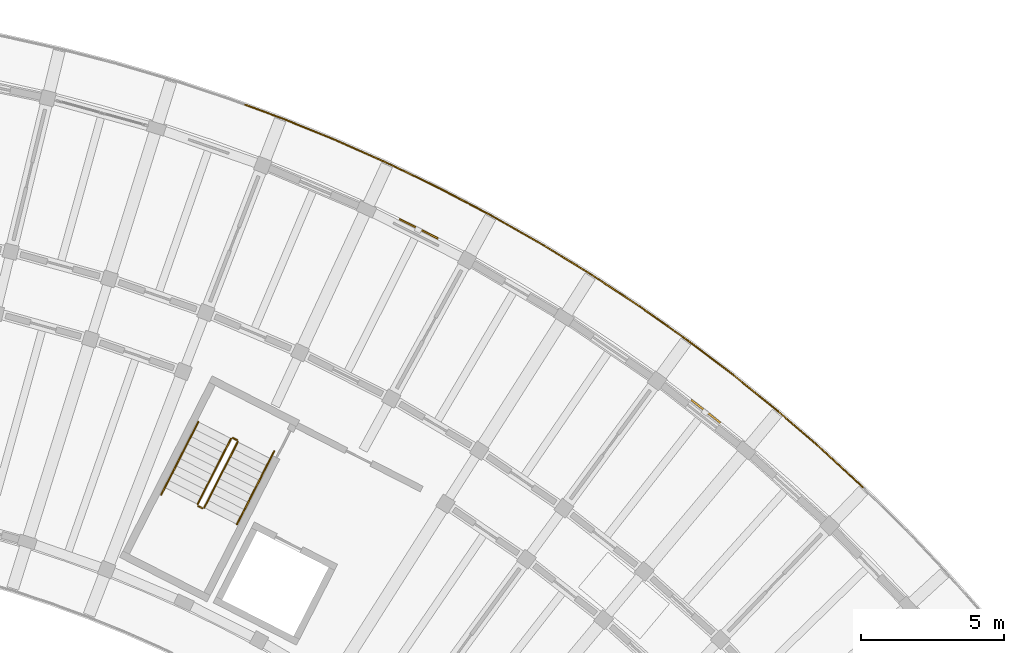
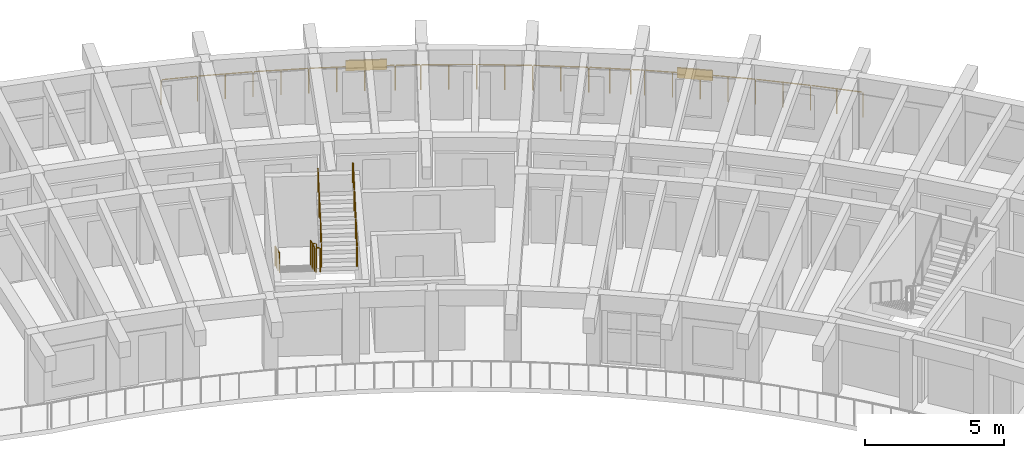
# One storey, part 82 of 83: 13 railings, 2 shading devices.
"""IFC4 building model written with IfcOpenShell, lengths in metres."""

from ifc_helpers import new_model, si_unit, direction, frame, origin, origin_2d, place, context, subcontext, project, spatial, rectangle, circle, extrude, material, layer, layer_set, type_object, element, save


model = new_model("IFC4")

# Units and contexts
model_context = context("Model", 3, precision=1e-05, world=origin(), true_north=direction((0.0, 1.0)))
body_context = subcontext(model_context, "Body", "Model", "MODEL_VIEW")
ifc_project = project(units=[si_unit("LENGTHUNIT", "METRE"), si_unit("AREAUNIT", "SQUARE_METRE"), si_unit("VOLUMEUNIT", "CUBIC_METRE"), si_unit("PLANEANGLEUNIT", "RADIAN"), si_unit("MASSUNIT", "GRAM", prefix="KILO")], contexts=[model_context])

# Site, building, storey
site_placement = place(None, origin())
site = spatial("IfcSite", under=ifc_project, at=site_placement, CompositionType="ELEMENT")
building_placement = place(site_placement, origin())
building = spatial("IfcBuilding", under=site, at=building_placement, Name="Tanwirah Colonnade Gardens", CompositionType="ELEMENT")
storey_placement = place(building_placement, frame((0.0, 0.0, 25.639892578125)))
storey = spatial("IfcBuildingStorey", under=building, at=storey_placement, Name="L07", CompositionType="ELEMENT", Elevation=25.639892578125)

# Railings
ifc_material_1 = material(Name="Precast concrete C40/50", Category="concrete")
railing_type_1 = type_object("IfcRailingType", Name="BAL-EXT112", PredefinedType="BALUSTRADE", material=ifc_material_1)
railing_1_placement = place(storey_placement, frame((141.835693359375, 117.86376953125, 0.0)))
element("IfcRailing", 1, at=railing_1_placement, inside=storey, type_object=railing_type_1, Name="Block B L07 Balcony Ribbon Balustrade 12", PredefinedType="BALUSTRADE", context=body_context, shape_type="SweptSolid", body=[
    extrude(circle(Radius=0.02392578125, at=origin_2d()), frame((0.029296875, -0.0107421875, 1.09619140625), z_axis=(0.938702441026, -0.344728483321, 0.0), x_axis=(0.344728483321, 0.938702441026, 0.0)), (0.0, 0.0, 1.0), 1.26953125),
    extrude(circle(Radius=0.02392578125, at=origin_2d()), frame((1.279541015625, -0.470947265625, 1.09619140625), z_axis=(0.926784720453, -0.375592973757, 0.0), x_axis=(0.375592973757, 0.926784720453, 0.0)), (0.0, 0.0, 1.0), 1.958984375),
    extrude(circle(Radius=0.02392578125, at=origin_2d()), frame((3.152587890625, -1.231201171875, 1.09619140625), z_axis=(0.913950953394, -0.405824660156, 0.0), x_axis=(0.405824660156, 0.913950953394, 0.0)), (0.0, 0.0, 1.0), 1.958740234375),
    extrude(circle(Radius=0.02392578125, at=origin_2d()), frame((4.99951171875, -2.052490234375, 1.09619140625), z_axis=(0.900055350621, -0.435775591122, 0.0), x_axis=(0.435775591122, 0.900055350621, 0.0)), (0.0, 0.0, 1.0), 1.958740234375),
    extrude(circle(Radius=0.02392578125, at=origin_2d()), frame((6.818359375, -2.934326171875, 1.09619140625), z_axis=(0.885172441907, -0.465263095559, 0.0), x_axis=(0.465263095559, 0.885172441907, 0.0)), (0.0, 0.0, 1.0), 1.041015625),
    extrude(circle(Radius=0.02099609375, at=origin_2d()), origin(), (0.0, 0.0, 1.0), 1.069091796875),
    extrude(circle(Radius=0.02099609375, at=origin_2d()), frame((1.25048828125, -0.459228515625, 0.0)), (0.0, 0.0, 1.0), 1.069091796875),
    extrude(circle(Radius=0.02099609375, at=origin_2d()), frame((2.187255859375, -0.8388671875, 0.0)), (0.0, 0.0, 1.0), 1.069091796875),
    extrude(circle(Radius=0.02099609375, at=origin_2d()), frame((3.1240234375, -1.218505859375, 0.0)), (0.0, 0.0, 1.0), 1.069091796875),
    extrude(circle(Radius=0.02099609375, at=origin_2d()), frame((4.0478515625, -1.628662109375, 0.0)), (0.0, 0.0, 1.0), 1.069091796875),
    extrude(circle(Radius=0.02099609375, at=origin_2d()), frame((4.971435546875, -2.038818359375, 0.0)), (0.0, 0.0, 1.0), 1.069091796875),
    extrude(circle(Radius=0.02099609375, at=origin_2d()), frame((5.881103515625, -2.479248046875, 0.0)), (0.0, 0.0, 1.0), 1.069091796875),
    extrude(circle(Radius=0.02099609375, at=origin_2d()), frame((6.790771484375, -2.919677734375, 0.0)), (0.0, 0.0, 1.0), 1.069091796875),
    extrude(circle(Radius=0.02099609375, at=origin_2d()), frame((7.767578125, -3.43310546875, 0.0)), (0.0, 0.0, 1.0), 1.069091796875),
])
railing_2_placement = place(storey_placement, frame((149.603271484375, 114.4306640625, 0.0)))
element("IfcRailing", 2, at=railing_2_placement, inside=storey, type_object=railing_type_1, Name="Block B L07 Balcony Ribbon Balustrade 13", PredefinedType="BALUSTRADE", context=body_context, shape_type="SweptSolid", body=[
    extrude(circle(Radius=0.02392578125, at=origin_2d()), frame((0.027587890625, -0.0146484375, 1.09619140625), z_axis=(0.885258321667, -0.465099670951, 0.0), x_axis=(0.465099670951, 0.885258321667, 0.0)), (0.0, 0.0, 1.0), 0.85546875),
    extrude(circle(Radius=0.02392578125, at=origin_2d()), frame((0.83984375, -0.4423828125, 1.09619140625), z_axis=(0.869392881113, -0.494121461049, 0.0), x_axis=(0.494121461049, 0.869392881113, 0.0)), (0.0, 0.0, 1.0), 1.958740234375),
    extrude(circle(Radius=0.02392578125, at=origin_2d()), frame((2.5966796875, -1.442138671875, 1.09619140625), z_axis=(0.852660263329, -0.522465764754, 0.0), x_axis=(0.522465764754, 0.852660263329, 0.0)), (0.0, 0.0, 1.0), 1.958984375),
    extrude(circle(Radius=0.02392578125, at=origin_2d()), frame((4.31982421875, -2.4990234375, 1.09619140625), z_axis=(0.834955682369, -0.550317188973, 0.0), x_axis=(0.550317188973, 0.834955682369, 0.0)), (0.0, 0.0, 1.0), 1.959228515625),
    extrude(circle(Radius=0.02392578125, at=origin_2d()), frame((6.00732421875, -3.612548828125, 1.09619140625), z_axis=(0.816334231633, -0.577579797313, 0.0), x_axis=(0.577579797313, 0.816334231633, 0.0)), (0.0, 0.0, 1.0), 1.454833984375),
    extrude(circle(Radius=0.02099609375, at=origin_2d()), origin(), (0.0, 0.0, 1.0), 1.069091796875),
    extrude(circle(Radius=0.02099609375, at=origin_2d()), frame((0.812744140625, -0.427001953125, 0.0)), (0.0, 0.0, 1.0), 1.069091796875),
    extrude(circle(Radius=0.02099609375, at=origin_2d()), frame((1.69140625, -0.92626953125, 0.0)), (0.0, 0.0, 1.0), 1.069091796875),
    extrude(circle(Radius=0.02099609375, at=origin_2d()), frame((2.570068359375, -1.42578125, 0.0)), (0.0, 0.0, 1.0), 1.069091796875),
    extrude(circle(Radius=0.02099609375, at=origin_2d()), frame((3.431884765625, -1.953857421875, 0.0)), (0.0, 0.0, 1.0), 1.069091796875),
    extrude(circle(Radius=0.02099609375, at=origin_2d()), frame((4.293701171875, -2.48193359375, 0.0)), (0.0, 0.0, 1.0), 1.069091796875),
    extrude(circle(Radius=0.02099609375, at=origin_2d()), frame((5.1376953125, -3.0380859375, 0.0)), (0.0, 0.0, 1.0), 1.069091796875),
    extrude(circle(Radius=0.02099609375, at=origin_2d()), frame((5.981689453125, -3.594482421875, 0.0)), (0.0, 0.0, 1.0), 1.069091796875),
    extrude(circle(Radius=0.02099609375, at=origin_2d()), frame((6.60107421875, -4.03271484375, 0.0)), (0.0, 0.0, 1.0), 1.069091796875),
    extrude(circle(Radius=0.02099609375, at=origin_2d()), frame((7.220458984375, -4.470947265625, 0.0)), (0.0, 0.0, 1.0), 1.069091796875),
])
railing_3_placement = place(storey_placement, frame((156.82373046875, 109.959716796875, 0.0)))
element("IfcRailing", 3, at=railing_3_placement, inside=storey, type_object=railing_type_1, Name="Block B L07 Balcony Ribbon Balustrade 14", PredefinedType="BALUSTRADE", context=body_context, shape_type="SweptSolid", body=[
    extrude(circle(Radius=0.02392578125, at=origin_2d()), frame((0.025634765625, -0.01806640625, 1.09619140625), z_axis=(0.816376639709, -0.577519854323, 0.0), x_axis=(0.577519854323, 0.816376639709, 0.0)), (0.0, 0.0, 1.0), 0.44140625),
    extrude(circle(Radius=0.02392578125, at=origin_2d()), frame((0.436279296875, -0.309814453125, 1.09619140625), z_axis=(0.796887753746, -0.604127393792, 0.0), x_axis=(0.604127393792, 0.796887753746, 0.0)), (0.0, 0.0, 1.0), 1.958984375),
    extrude(circle(Radius=0.02392578125, at=origin_2d()), frame((2.04638671875, -1.531982421875, 1.09619140625), z_axis=(0.776549722569, -0.630055972417, 0.0), x_axis=(0.630055972417, 0.776549722569, 0.0)), (0.0, 0.0, 1.0), 1.958984375),
    extrude(circle(Radius=0.02392578125, at=origin_2d()), frame((3.61572265625, -2.806396484375, 1.09619140625), z_axis=(0.755338292497, -0.655335077565, 0.0), x_axis=(0.655335077565, 0.755338292497, 0.0)), (0.0, 0.0, 1.0), 1.958984375),
    extrude(circle(Radius=0.02392578125, at=origin_2d()), frame((5.141845703125, -4.1318359375, 1.09619140625), z_axis=(0.733333461861, -0.679869129844, 0.0), x_axis=(0.679869129844, 0.733333461861, 0.0)), (0.0, 0.0, 1.0), 1.869140625),
    extrude(circle(Radius=0.02099609375, at=origin_2d()), origin(), (0.0, 0.0, 1.0), 1.069091796875),
    extrude(circle(Radius=0.02099609375, at=origin_2d()), frame((0.411376953125, -0.291015625, 0.0)), (0.0, 0.0, 1.0), 1.069091796875),
    extrude(circle(Radius=0.02099609375, at=origin_2d()), frame((1.216796875, -0.901611328125, 0.0)), (0.0, 0.0, 1.0), 1.069091796875),
    extrude(circle(Radius=0.02099609375, at=origin_2d()), frame((2.022216796875, -1.51220703125, 0.0)), (0.0, 0.0, 1.0), 1.069091796875),
    extrude(circle(Radius=0.02099609375, at=origin_2d()), frame((2.80712890625, -2.14892578125, 0.0)), (0.0, 0.0, 1.0), 1.069091796875),
    extrude(circle(Radius=0.02099609375, at=origin_2d()), frame((3.592041015625, -2.785888671875, 0.0)), (0.0, 0.0, 1.0), 1.069091796875),
    extrude(circle(Radius=0.02099609375, at=origin_2d()), frame((4.35546875, -3.4482421875, 0.0)), (0.0, 0.0, 1.0), 1.069091796875),
    extrude(circle(Radius=0.02099609375, at=origin_2d()), frame((5.118896484375, -4.110595703125, 0.0)), (0.0, 0.0, 1.0), 1.069091796875),
    extrude(circle(Radius=0.02099609375, at=origin_2d()), frame((5.8271484375, -4.76708984375, 0.0)), (0.0, 0.0, 1.0), 1.069091796875),
    extrude(circle(Radius=0.02099609375, at=origin_2d()), frame((6.535400390625, -5.423828125, 0.0)), (0.0, 0.0, 1.0), 1.069091796875),
])
ifc_material_2 = material(Name="Powder-coated galvanized steel", Category="steel")
railing_type_2 = type_object("IfcRailingType", Name="GRD-ST110", PredefinedType="GUARDRAIL", material=ifc_material_2)
railing_4_placement = place(storey_placement, frame((141.344970703125, 106.230712890625, 0.168212890625)))
element("IfcRailing", 4, at=railing_4_placement, inside=storey, type_object=railing_type_2, Name="L07 ST-B2 stair guard 1", PredefinedType="GUARDRAIL", context=body_context, shape_type="SweptSolid", body=[
    extrude(circle(Radius=0.02392578125, at=origin_2d()), frame((-0.01220703125, -0.02392578125, 1.092041015625), z_axis=(-0.3911222872, -0.767567239095, 0.507803003067), x_axis=(0.890993730975, -0.45401560696, 0.0)), (0.0, 0.0, 1.0), 2.9150390625),
    extrude(circle(Radius=0.02099609375, at=origin_2d()), origin(), (0.0, 0.0, 1.0), 1.049072265625),
    extrude(circle(Radius=0.02099609375, at=origin_2d()), frame((-0.38818359375, -0.76171875, 0.50390625)), (0.0, 0.0, 1.0), 1.049072265625),
    extrude(circle(Radius=0.02099609375, at=origin_2d()), frame((-0.7763671875, -1.523681640625, 1.008056640625)), (0.0, 0.0, 1.0), 1.049072265625),
    extrude(circle(Radius=0.02099609375, at=origin_2d()), frame((-1.16455078125, -2.285400390625, 1.511962890625)), (0.0, 0.0, 1.0), 1.049072265625),
])
railing_5_placement = place(storey_placement, frame((140.202392578125, 103.8779296875, 1.68017578125)))
element("IfcRailing", 5, at=railing_5_placement, inside=storey, type_object=railing_type_2, Name="L07 ST-B2 stair guard 2", PredefinedType="GUARDRAIL", context=body_context, shape_type="SweptSolid", body=[
    extrude(circle(Radius=0.02392578125, at=origin_2d()), frame((0.02783203125, -0.01416015625, 1.076171875), z_axis=(0.891353773095, -0.453308340084, 0.0), x_axis=(0.453308340084, 0.891353773095, 0.0)), (0.0, 0.0, 1.0), 0.097412109375),
    extrude(circle(Radius=0.02099609375, at=origin_2d()), origin(), (0.0, 0.0, 1.0), 1.049072265625),
    extrude(circle(Radius=0.02099609375, at=origin_2d()), frame((0.142578125, -0.072509765625, 0.0)), (0.0, 0.0, 1.0), 1.049072265625),
])
railing_6_placement = place(storey_placement, frame((140.412109375, 103.8271484375, 1.84814453125)))
element("IfcRailing", 6, at=railing_6_placement, inside=storey, type_object=railing_type_2, Name="L07 ST-B2 stair guard 3", PredefinedType="GUARDRAIL", context=body_context, shape_type="SweptSolid", body=[
    extrude(circle(Radius=0.02392578125, at=origin_2d()), frame((0.01220703125, 0.02392578125, 1.092041015625), z_axis=(0.3911222872, 0.767567239095, 0.507803003067), x_axis=(-0.890993730975, 0.45401560696, 0.0)), (0.0, 0.0, 1.0), 2.9150390625),
    extrude(circle(Radius=0.02099609375, at=origin_2d()), origin(), (0.0, 0.0, 1.0), 1.049072265625),
    extrude(circle(Radius=0.02099609375, at=origin_2d()), frame((0.38818359375, 0.76171875, 0.50390625)), (0.0, 0.0, 1.0), 1.049072265625),
    extrude(circle(Radius=0.02099609375, at=origin_2d()), frame((0.7763671875, 1.523681640625, 1.008056640625)), (0.0, 0.0, 1.0), 1.049072265625),
    extrude(circle(Radius=0.02099609375, at=origin_2d()), frame((1.16455078125, 2.285400390625, 1.511962890625)), (0.0, 0.0, 1.0), 1.049072265625),
])
railing_7_placement = place(storey_placement, frame((141.412109375, 106.25244140625, 0.0)))
element("IfcRailing", 7, at=railing_7_placement, inside=storey, type_object=railing_type_2, Name="L07 ST-B2 stair guard 4", PredefinedType="GUARDRAIL", context=body_context, shape_type="SweptSolid", body=[
    extrude(circle(Radius=0.02392578125, at=origin_2d()), frame((0.02783203125, -0.01416015625, 1.076171875), z_axis=(0.891353773095, -0.453308340084, 0.0), x_axis=(0.453308340084, 0.891353773095, 0.0)), (0.0, 0.0, 1.0), 0.097412109375),
    extrude(circle(Radius=0.02099609375, at=origin_2d()), origin(), (0.0, 0.0, 1.0), 1.049072265625),
    extrude(circle(Radius=0.02099609375, at=origin_2d()), frame((0.142578125, -0.072509765625, 0.0)), (0.0, 0.0, 1.0), 1.049072265625),
])
ifc_material_3 = material(Name="Brushed bronze stainless steel", Category="steel")
railing_type_3 = type_object("IfcRailingType", Name="HR-ST090", PredefinedType="HANDRAIL", material=ifc_material_3)
railing_8_placement = place(storey_placement, frame((140.204345703125, 106.811767578125, 0.168212890625)))
element("IfcRailing", 8, at=railing_8_placement, inside=storey, type_object=railing_type_3, Name="L07 ST-B2 stair handrail 1", PredefinedType="HANDRAIL", context=body_context, shape_type="SweptSolid", body=[
    extrude(circle(Radius=0.02392578125, at=origin_2d()), frame((-0.01220703125, -0.02392578125, 0.891845703125), z_axis=(-0.38993033558, -0.765508761867, 0.511811165275), x_axis=(0.891061070925, -0.453883429839, 0.0)), (0.0, 0.0, 1.0), 1.043212890625),
    extrude(circle(Radius=0.02099609375, at=origin_2d()), origin(), (0.0, 0.0, 1.0), 0.848876953125),
    extrude(circle(Radius=0.02099609375, at=origin_2d()), frame((-0.43115234375, -0.846435546875, 0.56591796875)), (0.0, 0.0, 1.0), 0.848876953125),
])
railing_9_placement = place(storey_placement, frame((139.773193359375, 105.96533203125, 0.734130859375)))
element("IfcRailing", 9, at=railing_9_placement, inside=storey, type_object=railing_type_3, Name="L07 ST-B2 stair handrail 2", PredefinedType="HANDRAIL", context=body_context, shape_type="SweptSolid", body=[
    extrude(circle(Radius=0.02392578125, at=origin_2d()), frame((-0.01220703125, -0.02392578125, 0.891845703125), z_axis=(-0.390117538533, -0.765442844423, 0.51176709356), x_axis=(0.890957114254, -0.454087459154, 0.0)), (0.0, 0.0, 1.0), 1.043212890625),
    extrude(circle(Radius=0.02099609375, at=origin_2d()), origin(), (0.0, 0.0, 1.0), 0.848876953125),
    extrude(circle(Radius=0.02099609375, at=origin_2d()), frame((-0.431396484375, -0.846435546875, 0.56591796875)), (0.0, 0.0, 1.0), 0.848876953125),
])
railing_10_placement = place(storey_placement, frame((139.341796875, 105.118896484375, 1.300048828125)))
element("IfcRailing", 10, at=railing_10_placement, inside=storey, type_object=railing_type_3, Name="L07 ST-B2 stair handrail 3", PredefinedType="HANDRAIL", context=body_context, shape_type="SweptSolid", body=[
    extrude(circle(Radius=0.02392578125, at=origin_2d()), frame((-0.01220703125, -0.02392578125, 0.891845703125), z_axis=(-0.389886268615, -0.765422249879, 0.511974097915), x_axis=(0.891061070925, -0.453883429839, 0.0)), (0.0, 0.0, 1.0), 1.043212890625),
    extrude(circle(Radius=0.02099609375, at=origin_2d()), origin(), (0.0, 0.0, 1.0), 0.848876953125),
    extrude(circle(Radius=0.02099609375, at=origin_2d()), frame((-0.43115234375, -0.846435546875, 0.566162109375)), (0.0, 0.0, 1.0), 0.848876953125),
])
railing_11_placement = place(storey_placement, frame((141.552490234375, 103.24609375, 1.84814453125)))
element("IfcRailing", 11, at=railing_11_placement, inside=storey, type_object=railing_type_3, Name="L07 ST-B2 stair handrail 4", PredefinedType="HANDRAIL", context=body_context, shape_type="SweptSolid", body=[
    extrude(circle(Radius=0.02392578125, at=origin_2d()), frame((0.01220703125, 0.02392578125, 0.891845703125), z_axis=(0.390117538533, 0.765442844423, 0.51176709356), x_axis=(-0.890957114254, 0.454087459154, 0.0)), (0.0, 0.0, 1.0), 1.043212890625),
    extrude(circle(Radius=0.02099609375, at=origin_2d()), origin(), (0.0, 0.0, 1.0), 0.848876953125),
    extrude(circle(Radius=0.02099609375, at=origin_2d()), frame((0.431396484375, 0.846435546875, 0.56591796875)), (0.0, 0.0, 1.0), 0.848876953125),
])
railing_12_placement = place(storey_placement, frame((141.98388671875, 104.092529296875, 2.4140625)))
element("IfcRailing", 12, at=railing_12_placement, inside=storey, type_object=railing_type_3, Name="L07 ST-B2 stair handrail 5", PredefinedType="HANDRAIL", context=body_context, shape_type="SweptSolid", body=[
    extrude(circle(Radius=0.02392578125, at=origin_2d()), frame((0.01220703125, 0.02392578125, 0.891845703125), z_axis=(0.390073458003, 0.765356354779, 0.511930022133), x_axis=(-0.890957114254, 0.454087459154, 0.0)), (0.0, 0.0, 1.0), 1.04345703125),
    extrude(circle(Radius=0.02099609375, at=origin_2d()), origin(), (0.0, 0.0, 1.0), 0.848876953125),
    extrude(circle(Radius=0.02099609375, at=origin_2d()), frame((0.431396484375, 0.846435546875, 0.566162109375)), (0.0, 0.0, 1.0), 0.848876953125),
])
railing_13_placement = place(storey_placement, frame((142.415283203125, 104.93896484375, 2.980224609375)))
element("IfcRailing", 13, at=railing_13_placement, inside=storey, type_object=railing_type_3, Name="L07 ST-B2 stair handrail 6", PredefinedType="HANDRAIL", context=body_context, shape_type="SweptSolid", body=[
    extrude(circle(Radius=0.02392578125, at=origin_2d()), frame((0.01220703125, 0.02392578125, 0.891845703125), z_axis=(0.38993033558, 0.765508761867, 0.511811165275), x_axis=(-0.891061070925, 0.453883429839, 0.0)), (0.0, 0.0, 1.0), 1.043212890625),
    extrude(circle(Radius=0.02099609375, at=origin_2d()), origin(), (0.0, 0.0, 1.0), 0.848876953125),
    extrude(circle(Radius=0.02099609375, at=origin_2d()), frame((0.43115234375, 0.846435546875, 0.56591796875)), (0.0, 0.0, 1.0), 0.848876953125),
])

# Shading devices
ifc_material_4 = material(Name="Perforated architectural bronze aluminium", Category="aluminium")
ifc_layer = layer(ifc_material_4, 0.050048828125)
ifc_layer_set = layer_set([ifc_layer], Name="Perforated architectural bronze aluminium")
shading_device_type = type_object("IfcShadingDeviceType", Name="SHD-OVH1", PredefinedType="SHUTTER", material=ifc_layer_set)
shading_device_1_placement = place(storey_placement, frame((157.889892578125, 107.179931640625, 1.9853515625), z_axis=(0.0, 0.0, 1.0), x_axis=(-0.786815927994, 0.617187731129, 0.0)))
element("IfcShadingDevice", 14, at=shading_device_1_placement, inside=storey, type_object=shading_device_type, Name="Solar shading louver hood B-L07-09", PredefinedType="SHUTTER", context=body_context, shape_type="SweptSolid", body=[
    extrude(rectangle(XDim=1.300048828125, YDim=0.06005859375, at=origin_2d()), origin(), (0.0, 0.0, 1.0), 0.449951171875),
])
shading_device_2_placement = place(storey_placement, frame((147.884521484375, 113.54052734375, 2.03515625), z_axis=(0.0, 0.0, 1.0), x_axis=(-0.892760421475, 0.450531719025, 0.0)))
element("IfcShadingDevice", 15, at=shading_device_2_placement, inside=storey, type_object=shading_device_type, Name="Solar shading louver hood B-L07-12", PredefinedType="SHUTTER", context=body_context, shape_type="SweptSolid", body=[
    extrude(rectangle(XDim=1.5, YDim=0.06005859375, at=origin_2d()), origin(), (0.0, 0.0, 1.0), 0.449951171875),
])

save(model, "model.ifc")
